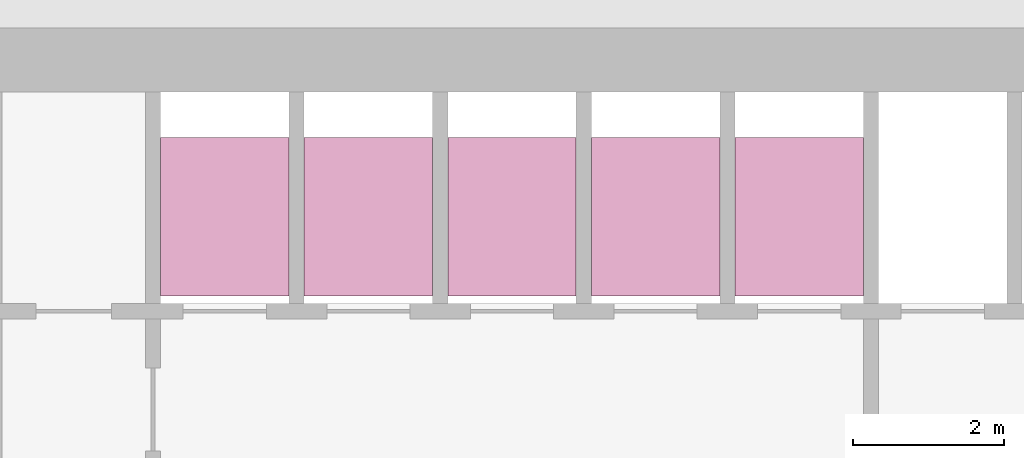
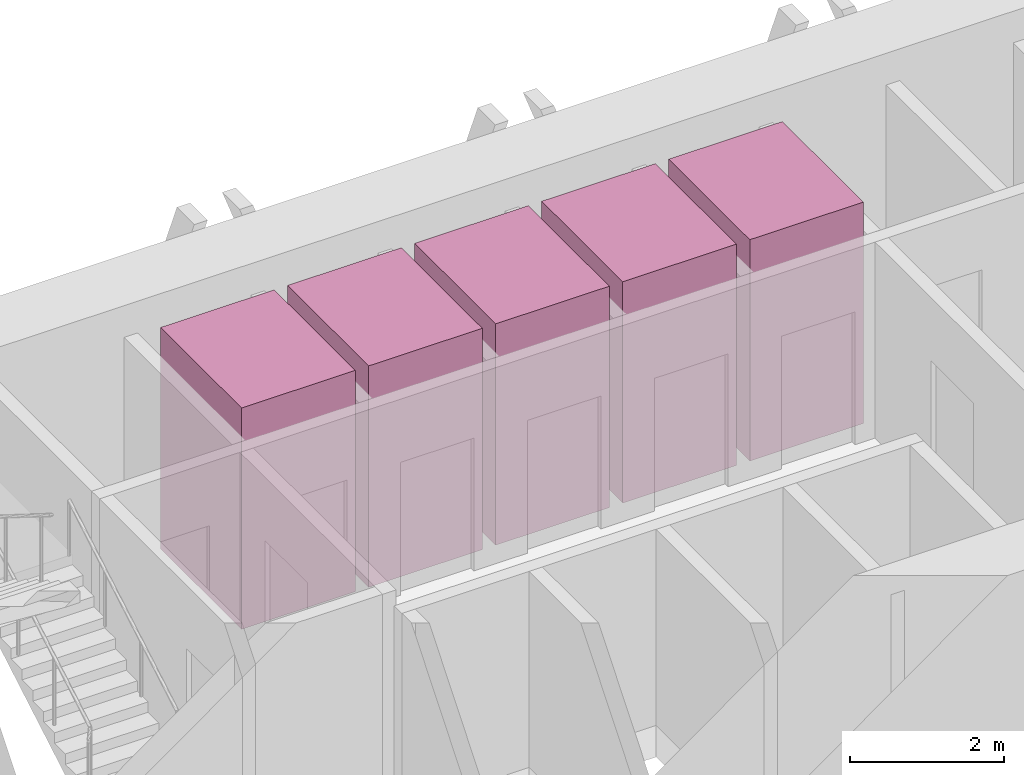
# One storey, part 18 of 18: 5 transport elements.
"""IFC4 building model written with IfcOpenShell, lengths in metres."""

import ifcopenshell
import ifcopenshell.guid

model = None  # the IFC model being written
_history = None  # IfcOwnerHistory: only IFC2X3 demands one
_inside = {}  # id of a spatial element -> (the spatial element, [elements in it])
_under = {}  # id of a project, library or spatial element -> (it, [spatial elements below it])
_declared = {}  # id of a project -> (the project, [libraries it declares])
_typed = {}  # id of a type object -> (the type object, [elements of that type])
_made_of = {}  # id of a material, layer set ... -> (it, [elements and type objects made of it])


def new_model(schema):
    """Start an empty IFC model of exactly this schema.

    Asked for "IFC4X3", IfcOpenShell would pick the latest addendum, in which some entities
    have other attributes; the version numbers below select the first issue.
    IFC2X3 requires an IfcOwnerHistory on every rooted entity: one is made here for all.
    """
    global model, _history
    if schema == "IFC4X3":
        model = ifcopenshell.file(schema_version=(4, 3, 0, 0))
    else:
        model = ifcopenshell.file(schema=schema)
    _inside.clear()
    _under.clear()
    _declared.clear()
    _typed.clear()
    _made_of.clear()
    _history = None
    if model.schema == "IFC2X3":
        org = make("IfcOrganization", Name="unknown")
        user = make(
            "IfcPersonAndOrganization",
            ThePerson=make("IfcPerson", FamilyName="unknown"),
            TheOrganization=org,
        )
        app = make(
            "IfcApplication",
            ApplicationDeveloper=org,
            Version="unknown",
            ApplicationFullName="unknown",
            ApplicationIdentifier="unknown",
        )
        _history = make(
            "IfcOwnerHistory",
            OwningUser=user,
            OwningApplication=app,
            ChangeAction="ADDED",
            CreationDate=0,
        )
    return model


def make(cls, **values):
    """One entity of the class cls with the attributes given. An attribute that is None is left unset."""
    return model.create_entity(
        cls, **{name: value for name, value in values.items() if value is not None}
    )


def rooted(cls, **values):
    """An entity with a GlobalId (a new one), such as an element, a storey or a relation."""
    return make(cls, GlobalId=ifcopenshell.guid.new(), OwnerHistory=_history, **values)


def si_unit(unit_type, name, prefix=None):
    """IfcSIUnit, for example si_unit("LENGTHUNIT", "METRE", prefix="MILLI")."""
    return make("IfcSIUnit", UnitType=unit_type, Prefix=prefix, Name=name)


def assignment(units):
    """IfcUnitAssignment: the units of a project."""
    return None if units is None else make("IfcUnitAssignment", Units=units)


def point(xyz):
    """IfcCartesianPoint."""
    return None if xyz is None else make("IfcCartesianPoint", Coordinates=xyz)


def direction(xyz):
    """IfcDirection."""
    return None if xyz is None else make("IfcDirection", DirectionRatios=xyz)


def frame(location, z_axis=None, x_axis=None):
    """IfcAxis2Placement3D, a coordinate frame: its origin and axes. An axis left out is left unset."""
    return make(
        "IfcAxis2Placement3D",
        Location=point(location),
        Axis=direction(z_axis),
        RefDirection=direction(x_axis),
    )


def frame_2d(location, x_axis=None):
    """IfcAxis2Placement2D, a coordinate frame in the plane: its origin and x axis."""
    return make(
        "IfcAxis2Placement2D", Location=point(location), RefDirection=direction(x_axis)
    )


def origin():
    """The frame at (0, 0, 0) with its axes left unset."""
    return frame((0.0, 0.0, 0.0))


def origin_2d():
    """The frame at (0, 0) in the plane with its x axis left unset."""
    return frame_2d((0.0, 0.0))


def place(relative_to, where):
    """IfcLocalPlacement: puts the frame where relative to a parent placement (None: the world)."""
    return make(
        "IfcLocalPlacement", PlacementRelTo=relative_to, RelativePlacement=where
    )


def context(
    kind, dimensions, precision=None, world=None, true_north=None, identifier=None
):
    """IfcGeometricRepresentationContext, for example the 3D "Model" context."""
    return make(
        "IfcGeometricRepresentationContext",
        ContextIdentifier=identifier,
        ContextType=kind,
        CoordinateSpaceDimension=dimensions,
        Precision=precision,
        WorldCoordinateSystem=world,
        TrueNorth=true_north,
    )


def subcontext(parent, identifier, kind, view, scale=None):
    """IfcGeometricRepresentationSubContext, for example "Body" below "Model"."""
    return make(
        "IfcGeometricRepresentationSubContext",
        ContextIdentifier=identifier,
        ContextType=kind,
        ParentContext=parent,
        TargetScale=scale,
        TargetView=view,
    )


def project(units=None, contexts=None):
    """IfcProject with its units and contexts."""
    return rooted(
        "IfcProject",
        Name="project",
        RepresentationContexts=contexts,
        UnitsInContext=assignment(units),
    )


def spatial(cls, under=None, at=None, **own):
    """A site, building, storey or space (cls), placed at a placement, below another one or the project."""
    s = rooted(cls, ObjectPlacement=at, **own)
    if under is not None:
        _under.setdefault(under.id(), (under, []))[1].append(s)
    return s


def profile(cls, at=None, kind="AREA", **sizes):
    """A parametric profile (cls). Its sizes go by their IFC names, for example OverallWidth=200.0."""
    return make(cls, ProfileType=kind, Position=at, **sizes)


def rectangle(**sizes):
    """IfcRectangleProfileDef."""
    return profile("IfcRectangleProfileDef", **sizes)


def extrude(swept, where, along, depth):
    """IfcExtrudedAreaSolid: the profile swept, set in the frame where, extruded along a direction by depth."""
    return make(
        "IfcExtrudedAreaSolid",
        SweptArea=swept,
        Position=where,
        ExtrudedDirection=direction(along),
        Depth=depth,
    )


def shape(context_of_items, identifier, shape_type, items):
    """IfcShapeRepresentation: the items that make up one representation, for example the "Body"."""
    return make(
        "IfcShapeRepresentation",
        ContextOfItems=context_of_items,
        RepresentationIdentifier=identifier,
        RepresentationType=shape_type,
        Items=items,
    )


def material(Name=None, Category=None):
    """IfcMaterial."""
    return make("IfcMaterial", Name=Name, Category=Category)


def made_of(thing, what):
    """Note that an element or type object is made of a material, layer set ...; save() writes the relation."""
    if what is not None:
        _made_of.setdefault(what.id(), (what, []))[1].append(thing)
    return thing


def type_object(cls, material=None, **own):
    """A type object (cls), such as IfcWallType, which elements share."""
    return made_of(rooted(cls, **own), material)


def element(
    cls,
    number,
    at=None,
    inside=None,
    cuts=None,
    type_object=None,
    material=None,
    context=None,
    identifier="Body",
    shape_type=None,
    held_by="IfcProductDefinitionShape",
    body=None,
    shapes=None,
    **own,
):
    """One element of the class cls, such as IfcWall. Its Tag is "e" and its number.

    at: its placement. inside: the storey or other place that contains it. cuts: it is an
    opening in that element (IfcRelVoidsElement). A single representation is given by context,
    identifier, shape_type and body (its items); several are given by shapes. held_by: the class
    of the entity that holds the representations. save() writes the other relations.
    """
    e = rooted(cls, Tag="e%d" % number, ObjectPlacement=at, **own)
    if body is not None:
        shapes = [shape(context, identifier, shape_type, body)]
    if shapes is not None:
        e.Representation = make(held_by, Representations=shapes)
    if inside is not None:
        _inside.setdefault(inside.id(), (inside, []))[1].append(e)
    if cuts is not None:
        rooted(
            "IfcRelVoidsElement", RelatingBuildingElement=cuts, RelatedOpeningElement=e
        )
    if type_object is not None:
        _typed.setdefault(type_object.id(), (type_object, []))[1].append(e)
    return made_of(e, material)


def aggregate(whole, parts):
    """IfcRelAggregates: a whole, such as a stair, and the parts it consists of."""
    return rooted("IfcRelAggregates", RelatingObject=whole, RelatedObjects=parts)


def save(model, path):
    """Write the relations noted so far, then the file.

    IfcRelAggregates (storeys below a building ...), IfcRelContainedInSpatialStructure (elements
    in a storey), IfcRelDefinesByType, IfcRelAssociatesMaterial and IfcRelDeclares: one each for
    every whole, place, type object, material and project.
    """
    for whole, parts in _under.values():
        aggregate(whole, parts)
    for where, things in _inside.values():
        rooted(
            "IfcRelContainedInSpatialStructure",
            RelatedElements=things,
            RelatingStructure=where,
        )
    for kind, things in _typed.values():
        rooted("IfcRelDefinesByType", RelatedObjects=things, RelatingType=kind)
    for what, things in _made_of.values():
        rooted("IfcRelAssociatesMaterial", RelatedObjects=things, RelatingMaterial=what)
    for by, libraries in _declared.values():
        rooted("IfcRelDeclares", RelatingContext=by, RelatedDefinitions=libraries)
    model.write(path)


model = new_model("IFC4")

# Units and contexts
model_context = context("Model", 3, precision=1e-05, world=origin(), true_north=direction((0.0, 1.0)))
body_context = subcontext(model_context, "Body", "Model", "MODEL_VIEW")
ifc_project = project(units=[si_unit("LENGTHUNIT", "METRE"), si_unit("AREAUNIT", "SQUARE_METRE"), si_unit("VOLUMEUNIT", "CUBIC_METRE"), si_unit("PLANEANGLEUNIT", "RADIAN"), si_unit("MASSUNIT", "GRAM", prefix="KILO")], contexts=[model_context])

# Site, building, storey
site_placement = place(None, origin())
site = spatial("IfcSite", under=ifc_project, at=site_placement, CompositionType="ELEMENT")
building_placement = place(site_placement, origin())
building = spatial("IfcBuilding", under=site, at=building_placement, Name="Altiplano Prism Tower", CompositionType="ELEMENT")
storey_placement = place(building_placement, frame((0.0, 0.0, 34.199951171875)))
storey = spatial("IfcBuildingStorey", under=building, at=storey_placement, Name="L07", CompositionType="ELEMENT", Elevation=34.199951171875)

# Transport elements
ifc_material = material(Name="Stainless steel lift car", Category="steel")
transport_element_type = type_object("IfcTransportElementType", Name="Passenger lift car 1600 x 2100", PredefinedType="ELEVATOR", material=ifc_material)
for number, where, z_axis, x_axis, name in (
    (1, (79.050048828125, 101.75, 0.050048828125), (0.0, 0.0, 1.0), (1.0, 0.0, 0.0), "Low Zone Passenger Lift 1"),
    (2, (80.949951171875, 101.75, 0.050048828125), (0.0, 0.0, 1.0), (1.0, 0.0, 0.0), "Low Zone Passenger Lift 2"),
    (3, (82.85009765625, 101.75, 0.050048828125), (0.0, 0.0, 1.0), (1.0, 0.0, 0.0), "Low Zone Passenger Lift 3"),
    (4, (84.75, 101.75, 0.050048828125), (0.0, 0.0, 1.0), (1.0, 0.0, 0.0), "Low Zone Passenger Lift 4"),
    (5, (86.64990234375, 101.75, 0.050048828125), (0.0, 0.0, 1.0), (1.0, 0.0, 0.0), "Low Zone Passenger Lift 5"),
):
    element("IfcTransportElement", number, at=place(storey_placement, frame(where, z_axis=z_axis, x_axis=x_axis)), inside=storey, type_object=transport_element_type, Name=name, PredefinedType="ELEVATOR", context=body_context, shape_type="SweptSolid", body=[
        extrude(rectangle(XDim=1.699951171875, YDim=2.10009765625, at=origin_2d()), origin(), (0.0, 0.0, 1.0), 3.5),
    ])

save(model, "model.ifc")
